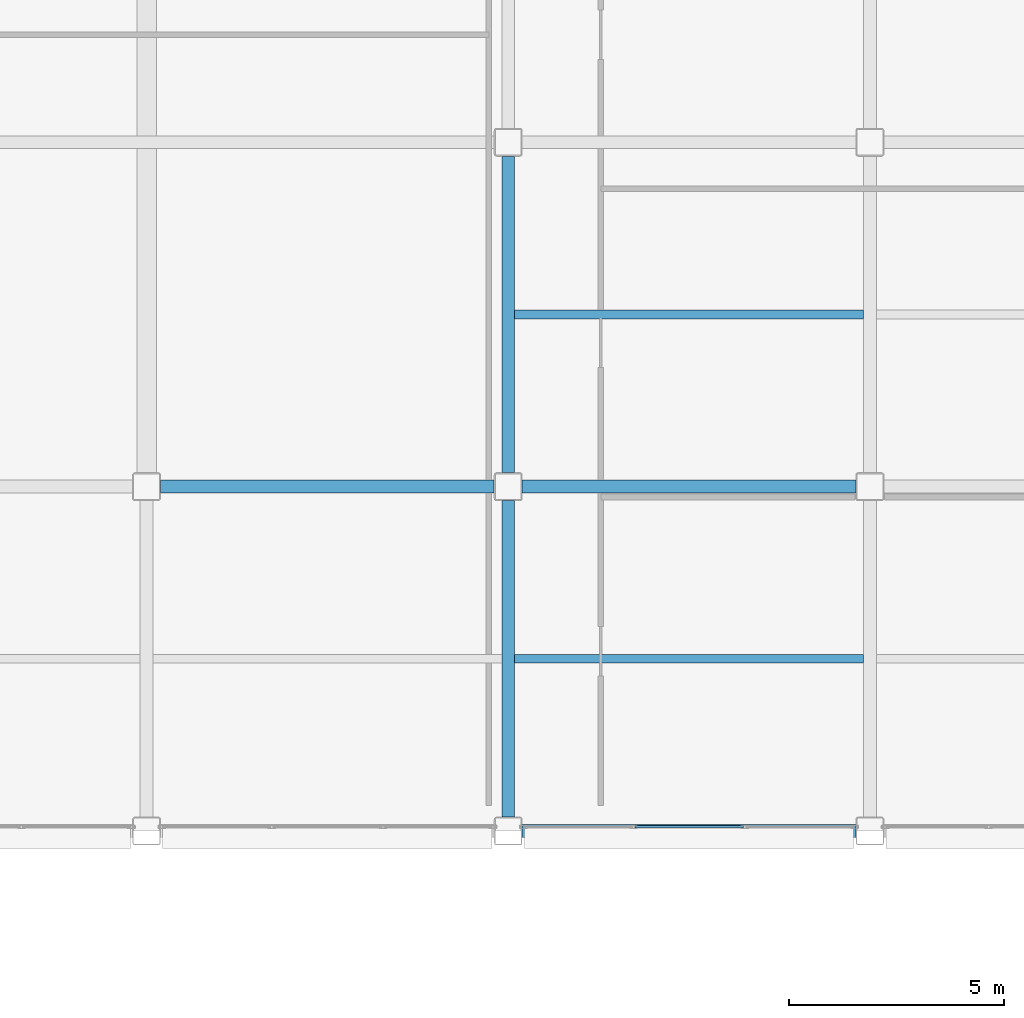
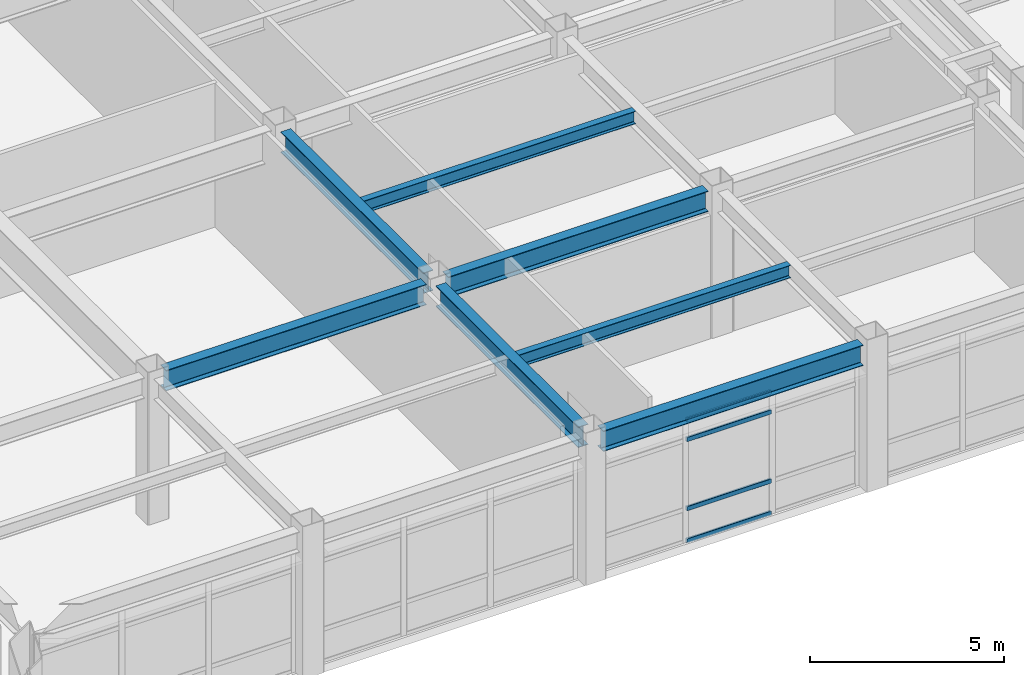
# One storey, part 44 of 172: 7 beams, 4 members, 1 element without a shape of its own.
"""IFC4 building model written with IfcOpenShell, lengths in metres."""

from ifc_helpers import new_model, si_unit, direction, frame, origin, origin_2d, place, context, subcontext, project, spatial, hollow_rectangle, i_section, extrude, material, layer, layer_set, material_profile, profile_set, type_object, element, aggregate, save


model = new_model("IFC4")

# Units and contexts
model_context = context("Model", 3, precision=1e-05, world=origin(), true_north=direction((0.0, 1.0)))
body_context = subcontext(model_context, "Body", "Model", "MODEL_VIEW")
ifc_project = project(units=[si_unit("LENGTHUNIT", "METRE"), si_unit("AREAUNIT", "SQUARE_METRE"), si_unit("VOLUMEUNIT", "CUBIC_METRE"), si_unit("PLANEANGLEUNIT", "RADIAN"), si_unit("MASSUNIT", "GRAM", prefix="KILO")], contexts=[model_context])

# Site, building, storey
site_placement = place(None, origin())
site = spatial("IfcSite", under=ifc_project, at=site_placement, CompositionType="ELEMENT")
building_placement = place(site_placement, origin())
building = spatial("IfcBuilding", under=site, at=building_placement, Name="Kazehara Bluff Congress Hotel", CompositionType="ELEMENT")
storey_placement = place(building_placement, frame((0.0, 0.0, 5.39990234375)))
storey = spatial("IfcBuildingStorey", under=building, at=storey_placement, Name="L01", CompositionType="ELEMENT", Elevation=5.39990234375)

# Curtain wall, members
ifc_material_1 = material(Name="Anodised aluminium", Category="aluminium")
ifc_layer = layer(ifc_material_1, 0.159912109375)
ifc_layer_set = layer_set([ifc_layer], Name="Anodised aluminium")
curtain_wall_type = type_object("IfcCurtainWallType", Name="TP-CW-24", PredefinedType="NOTDEFINED", material=ifc_layer_set)
curtain_wall_placement = place(storey_placement, origin())
curtain_wall = element("IfcCurtainWall", 1, at=curtain_wall_placement, inside=storey, type_object=curtain_wall_type, Name="L01 curtain wall CW-24 CW-ENC-V4-L01-9705-1610", PredefinedType="NOTDEFINED")
ifc_material_2 = material(Name="Anodised aluminium", Category="aluminium")
ifc_material_profile_1 = material_profile(ifc_material_2, hollow_rectangle(XDim=0.06494140625, YDim=0.139892578125, WallThickness=0.00390625, InnerFilletRadius=0.00390625, OuterFilletRadius=0.008056640625, at=origin_2d()))
ifc_profile_set_1 = profile_set([ifc_material_profile_1], Name="Anodised aluminium")
member_type = type_object("IfcMemberType", Name="TP-CWT-02", PredefinedType="USERDEFINED", material=ifc_profile_set_1)
member_1_placement = place(storey_placement, frame((98.30908203125, 16.10009765625, 0.03271484375), z_axis=(-1.0, 0.0, 0.0), x_axis=(0.0, -1.0, 0.0)))
member_1 = element("IfcMember", 2, at=member_1_placement, type_object=member_type, Name="CW-24 transom 2.1", ObjectType="TRANSOM", PredefinedType="USERDEFINED", context=body_context, shape_type="SweptSolid", body=[
    extrude(hollow_rectangle(XDim=0.06494140625, YDim=0.139892578125, WallThickness=0.00390625, InnerFilletRadius=0.00390625, OuterFilletRadius=0.008056640625, at=origin_2d()), origin(), (0.0, 0.0, 1.0), 2.518310546875),
])
member_2_placement = place(storey_placement, frame((98.30908203125, 16.10009765625, 1.050048828125), z_axis=(-1.0, 0.0, 0.0), x_axis=(0.0, -1.0, 0.0)))
member_2 = element("IfcMember", 3, at=member_2_placement, type_object=member_type, Name="CW-24 transom 2.2", ObjectType="TRANSOM", PredefinedType="USERDEFINED", context=body_context, shape_type="SweptSolid", body=[
    extrude(hollow_rectangle(XDim=0.06494140625, YDim=0.139892578125, WallThickness=0.00390625, InnerFilletRadius=0.00390625, OuterFilletRadius=0.008056640625, at=origin_2d()), origin(), (0.0, 0.0, 1.0), 2.518310546875),
])
member_3_placement = place(storey_placement, frame((98.30908203125, 16.10009765625, 3.22509765625), z_axis=(-1.0, 0.0, 0.0), x_axis=(0.0, -1.0, 0.0)))
member_3 = element("IfcMember", 4, at=member_3_placement, type_object=member_type, Name="CW-24 transom 2.3", ObjectType="TRANSOM", PredefinedType="USERDEFINED", context=body_context, shape_type="SweptSolid", body=[
    extrude(hollow_rectangle(XDim=0.06494140625, YDim=0.139892578125, WallThickness=0.00390625, InnerFilletRadius=0.00390625, OuterFilletRadius=0.008056640625, at=origin_2d()), origin(), (0.0, 0.0, 1.0), 2.518310546875),
])
member_4_placement = place(storey_placement, frame((98.30908203125, 16.10009765625, 3.842529296875), z_axis=(-1.0, 0.0, 0.0), x_axis=(0.0, -1.0, 0.0)))
member_4 = element("IfcMember", 5, at=member_4_placement, type_object=member_type, Name="CW-24 transom 2.4", ObjectType="TRANSOM", PredefinedType="USERDEFINED", context=body_context, shape_type="SweptSolid", body=[
    extrude(hollow_rectangle(XDim=0.06494140625, YDim=0.139892578125, WallThickness=0.00390625, InnerFilletRadius=0.00390625, OuterFilletRadius=0.008056640625, at=origin_2d()), origin(), (0.0, 0.0, 1.0), 2.518310546875),
])
aggregate(curtain_wall, [member_1, member_2, member_3, member_4])

# Beams
ifc_material_3 = material(Name="Steel SN490B", Category="steel")
ifc_material_profile_2 = material_profile(ifc_material_3, i_section(OverallWidth=0.300048828125, OverallDepth=0.64990234375, WebThickness=0.011962890625, FlangeThickness=0.02001953125, FilletRadius=0.012939453125, at=origin_2d()))
ifc_profile_set_2 = profile_set([ifc_material_profile_2], Name="Steel SN490B")
beam_type_1 = type_object("IfcBeamType", Name="TP-G-03", PredefinedType="BEAM", material=ifc_profile_set_2)
for number, where, z_axis, x_axis, name in (
    (6, (92.85009765625, 16.324951171875, 4.22509765625), (0.0, 1.0, 0.0), (-1.0, 0.0, 0.0), "L01 girder G-03 170"),
    (7, (92.85009765625, 24.324951171875, 4.22509765625), (0.0, 1.0, 0.0), (-1.0, 0.0, 0.0), "L01 girder G-03 171"),
):
    element("IfcBeam", number, at=place(storey_placement, frame(where, z_axis=z_axis, x_axis=x_axis)), inside=storey, type_object=beam_type_1, Name=name, PredefinedType="BEAM", context=body_context, shape_type="SweptSolid", body=[
        extrude(i_section(OverallWidth=0.300048828125, OverallDepth=0.64990234375, WebThickness=0.011962890625, FlangeThickness=0.02001953125, FilletRadius=0.012939453125, at=origin_2d()), origin(), (0.0, 0.0, 1.0), 7.35009765625),
    ])
for number, where, z_axis, x_axis, name in (
    (8, (93.175048828125, 16.0, 4.22509765625), (1.0, 0.0, 0.0), (0.0, 1.0, 0.0), "L01 girder G-03 191"),
    (9, (84.77490234375, 24.0, 4.22509765625), (1.0, 0.0, 0.0), (0.0, 1.0, 0.0), "L01 girder G-03 196"),
    (10, (93.175048828125, 24.0, 4.22509765625), (1.0, 0.0, 0.0), (0.0, 1.0, 0.0), "L01 girder G-03 197"),
):
    element("IfcBeam", number, at=place(storey_placement, frame(where, z_axis=z_axis, x_axis=x_axis)), inside=storey, type_object=beam_type_1, Name=name, PredefinedType="BEAM", context=body_context, shape_type="SweptSolid", body=[
        extrude(i_section(OverallWidth=0.300048828125, OverallDepth=0.64990234375, WebThickness=0.011962890625, FlangeThickness=0.02001953125, FilletRadius=0.012939453125, at=origin_2d()), origin(), (0.0, 0.0, 1.0), 7.75),
    ])
ifc_material_4 = material(Name="Steel SN400B", Category="steel")
ifc_material_profile_3 = material_profile(ifc_material_4, i_section(OverallWidth=0.199951171875, OverallDepth=0.39990234375, WebThickness=0.008056640625, FlangeThickness=0.012939453125, FilletRadius=0.012939453125, at=origin_2d()))
ifc_profile_set_3 = profile_set([ifc_material_profile_3], Name="Steel SN400B")
beam_type_2 = type_object("IfcBeamType", Name="TP-J-03", PredefinedType="JOIST", material=ifc_profile_set_3)
for number, where, z_axis, x_axis, name in (
    (11, (93.0, 20.0, 4.35009765625), (1.0, 0.0, 0.0), (0.0, 1.0, 0.0), "L01 secondary joist J-03 45"),
    (12, (93.0, 28.0, 4.35009765625), (1.0, 0.0, 0.0), (0.0, 1.0, 0.0), "L01 secondary joist J-03 46"),
):
    element("IfcBeam", number, at=place(storey_placement, frame(where, z_axis=z_axis, x_axis=x_axis)), inside=storey, type_object=beam_type_2, Name=name, PredefinedType="JOIST", context=body_context, shape_type="SweptSolid", body=[
        extrude(i_section(OverallWidth=0.199951171875, OverallDepth=0.39990234375, WebThickness=0.008056640625, FlangeThickness=0.012939453125, FilletRadius=0.012939453125, at=origin_2d()), origin(), (0.0, 0.0, 1.0), 8.10009765625),
    ])

save(model, "model.ifc")
